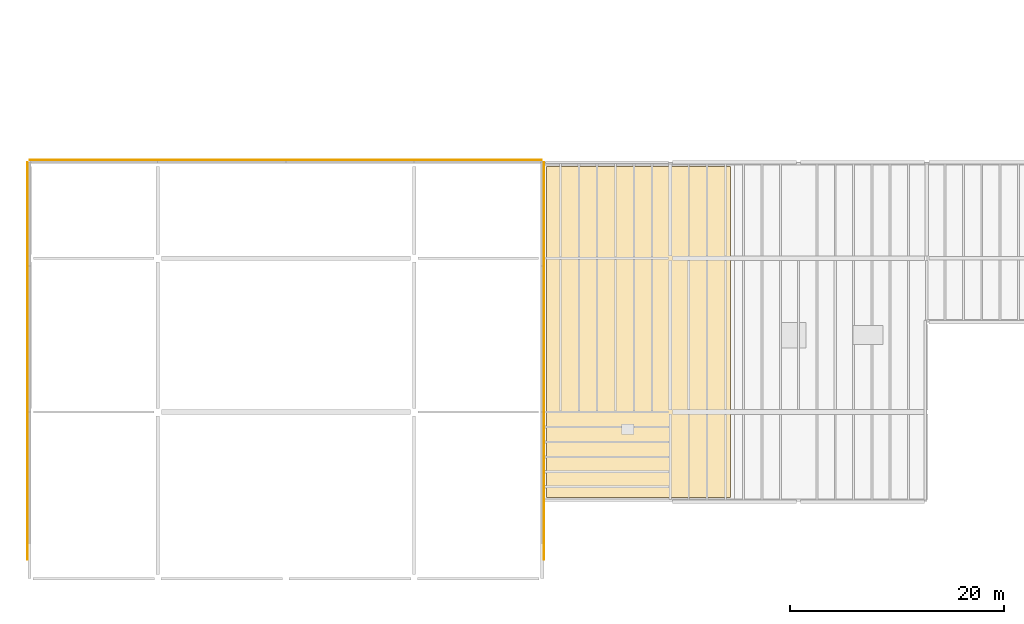
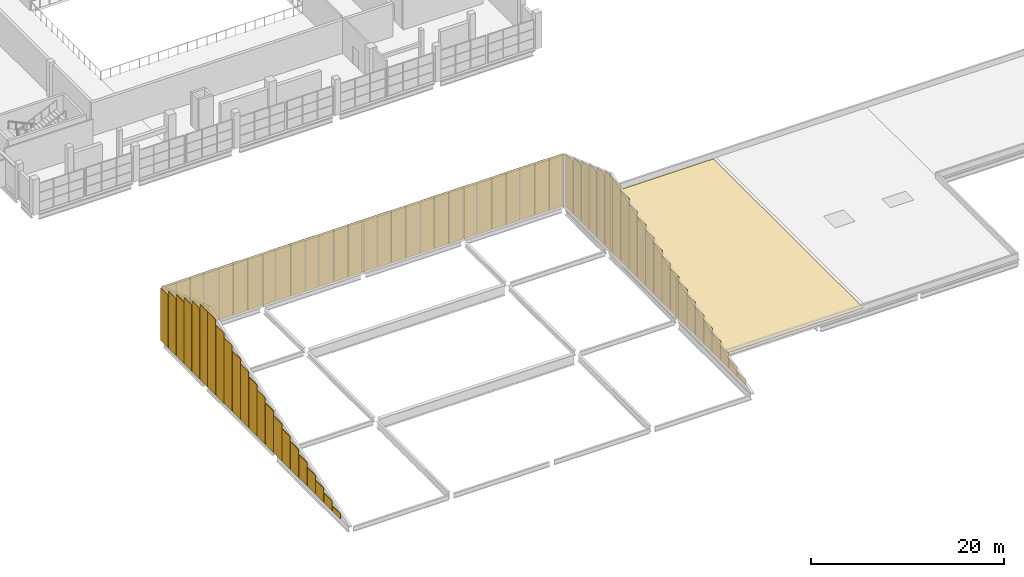
# One storey, part 53 of 63: 73 coverings.
"""IFC4 building model written with IfcOpenShell, lengths in metres."""

from ifc_helpers import new_model, si_unit, direction, frame, origin, origin_2d, place, context, subcontext, project, spatial, polyline, rectangle, outline, extrude, material, layer, layer_set, type_object, element, save


model = new_model("IFC4")

# Units and contexts
model_context = context("Model", 3, precision=1e-05, world=origin(), true_north=direction((0.0, 1.0)))
body_context = subcontext(model_context, "Body", "Model", "MODEL_VIEW")
ifc_project = project(units=[si_unit("LENGTHUNIT", "METRE"), si_unit("AREAUNIT", "SQUARE_METRE"), si_unit("VOLUMEUNIT", "CUBIC_METRE"), si_unit("PLANEANGLEUNIT", "RADIAN"), si_unit("MASSUNIT", "GRAM", prefix="KILO")], contexts=[model_context])

# Site, building, storey
site_placement = place(None, origin())
site = spatial("IfcSite", under=ifc_project, at=site_placement, CompositionType="ELEMENT")
building_placement = place(site_placement, origin())
building = spatial("IfcBuilding", under=site, at=building_placement, Name="Kelmvaro Bay Concert Hall", CompositionType="ELEMENT")
storey_placement = place(building_placement, frame((0.0, 0.0, 13.800048828125)))
storey = spatial("IfcBuildingStorey", under=building, at=storey_placement, Name="L03", CompositionType="ELEMENT", Elevation=13.800048828125)

# Coverings
ifc_material_1 = material(Name="Honed Florida Limestone Travertine", Category="masonry")
ifc_layer_1 = layer(ifc_material_1, 0.054931640625)
ifc_layer_set_1 = layer_set([ifc_layer_1], Name="Honed Florida Limestone Travertine")
covering_type_1 = type_object("IfcCoveringType", Name="Honed Florida Travertine Rainscreen Cladding 55", PredefinedType="CLADDING", material=ifc_layer_set_1)
for number, where, z_axis, x_axis, name in (
    (1, (0.857177734375, 39.175537109375, 0.010009765625), (0.0, 0.0, 1.0), (1.0, 0.0, 0.0), "L03 Raked Travertine Gable Panel 0612"),
    (2, (2.5712890625, 39.175537109375, 0.010009765625), (0.0, 0.0, 1.0), (1.0, 0.0, 0.0), "L03 Raked Travertine Gable Panel 0613"),
    (3, (4.28564453125, 39.175537109375, 0.010009765625), (0.0, 0.0, 1.0), (1.0, 0.0, 0.0), "L03 Raked Travertine Gable Panel 0614"),
    (4, (6.0, 39.175537109375, 0.010009765625), (0.0, 0.0, 1.0), (1.0, 0.0, 0.0), "L03 Raked Travertine Gable Panel 0615"),
    (5, (7.71435546875, 39.175537109375, 0.010009765625), (0.0, 0.0, 1.0), (1.0, 0.0, 0.0), "L03 Raked Travertine Gable Panel 0616"),
    (6, (9.4287109375, 39.175537109375, 0.010009765625), (0.0, 0.0, 1.0), (1.0, 0.0, 0.0), "L03 Raked Travertine Gable Panel 0617"),
    (7, (11.142822265625, 39.175537109375, 0.010009765625), (0.0, 0.0, 1.0), (1.0, 0.0, 0.0), "L03 Raked Travertine Gable Panel 0618"),
    (8, (12.857177734375, 39.175537109375, 0.010009765625), (0.0, 0.0, 1.0), (1.0, 0.0, 0.0), "L03 Raked Travertine Gable Panel 0619"),
    (9, (14.5712890625, 39.175537109375, 0.010009765625), (0.0, 0.0, 1.0), (1.0, 0.0, 0.0), "L03 Raked Travertine Gable Panel 0620"),
    (10, (16.28564453125, 39.175537109375, 0.010009765625), (0.0, 0.0, 1.0), (1.0, 0.0, 0.0), "L03 Raked Travertine Gable Panel 0621"),
    (11, (18.0, 39.175537109375, 0.010009765625), (0.0, 0.0, 1.0), (1.0, 0.0, 0.0), "L03 Raked Travertine Gable Panel 0622"),
    (12, (19.71435546875, 39.175537109375, 0.010009765625), (0.0, 0.0, 1.0), (1.0, 0.0, 0.0), "L03 Raked Travertine Gable Panel 0623"),
    (13, (21.4287109375, 39.175537109375, 0.010009765625), (0.0, 0.0, 1.0), (1.0, 0.0, 0.0), "L03 Raked Travertine Gable Panel 0624"),
    (14, (23.142822265625, 39.175537109375, 0.010009765625), (0.0, 0.0, 1.0), (1.0, 0.0, 0.0), "L03 Raked Travertine Gable Panel 0625"),
    (15, (24.857177734375, 39.175537109375, 0.010009765625), (0.0, 0.0, 1.0), (1.0, 0.0, 0.0), "L03 Raked Travertine Gable Panel 0626"),
    (16, (26.5712890625, 39.175537109375, 0.010009765625), (0.0, 0.0, 1.0), (1.0, 0.0, 0.0), "L03 Raked Travertine Gable Panel 0627"),
    (17, (28.28564453125, 39.175537109375, 0.010009765625), (0.0, 0.0, 1.0), (1.0, 0.0, 0.0), "L03 Raked Travertine Gable Panel 0628"),
    (18, (30.0, 39.175537109375, 0.010009765625), (0.0, 0.0, 1.0), (1.0, 0.0, 0.0), "L03 Raked Travertine Gable Panel 0629"),
    (19, (31.71435546875, 39.175537109375, 0.010009765625), (0.0, 0.0, 1.0), (1.0, 0.0, 0.0), "L03 Raked Travertine Gable Panel 0630"),
    (20, (33.4287109375, 39.175537109375, 0.010009765625), (0.0, 0.0, 1.0), (1.0, 0.0, 0.0), "L03 Raked Travertine Gable Panel 0631"),
    (21, (35.142822265625, 39.175537109375, 0.010009765625), (0.0, 0.0, 1.0), (1.0, 0.0, 0.0), "L03 Raked Travertine Gable Panel 0632"),
    (22, (36.857177734375, 39.175537109375, 0.010009765625), (0.0, 0.0, 1.0), (1.0, 0.0, 0.0), "L03 Raked Travertine Gable Panel 0633"),
    (23, (38.5712890625, 39.175537109375, 0.010009765625), (0.0, 0.0, 1.0), (1.0, 0.0, 0.0), "L03 Raked Travertine Gable Panel 0634"),
    (24, (40.28564453125, 39.175537109375, 0.010009765625), (0.0, 0.0, 1.0), (1.0, 0.0, 0.0), "L03 Raked Travertine Gable Panel 0635"),
    (25, (42.0, 39.175537109375, 0.010009765625), (0.0, 0.0, 1.0), (1.0, 0.0, 0.0), "L03 Raked Travertine Gable Panel 0636"),
    (26, (43.71435546875, 39.175537109375, 0.010009765625), (0.0, 0.0, 1.0), (1.0, 0.0, 0.0), "L03 Raked Travertine Gable Panel 0637"),
    (27, (45.4287109375, 39.175537109375, 0.010009765625), (0.0, 0.0, 1.0), (1.0, 0.0, 0.0), "L03 Raked Travertine Gable Panel 0638"),
    (28, (47.142822265625, 39.175537109375, 0.010009765625), (0.0, 0.0, 1.0), (1.0, 0.0, 0.0), "L03 Raked Travertine Gable Panel 0639"),
):
    element("IfcCovering", number, at=place(storey_placement, frame(where, z_axis=z_axis, x_axis=x_axis)), inside=storey, type_object=covering_type_1, Name=name, PredefinedType="CLADDING", context=body_context, shape_type="SweptSolid", body=[
        extrude(rectangle(XDim=1.654052734375, YDim=0.054931640625, at=origin_2d()), origin(), (0.0, 0.0, 1.0), 6.6298828125),
    ])
covering_1_placement = place(storey_placement, frame((-0.175537109375, 2.60009765625, 0.010009765625), z_axis=(0.0, 0.0, 1.0), x_axis=(0.0, 1.0, 0.0)))
element("IfcCovering", 29, at=covering_1_placement, inside=storey, type_object=covering_type_1, Name="L03 Raked Travertine Gable Panel 0640", PredefinedType="CLADDING", context=body_context, shape_type="SweptSolid", body=[
    extrude(rectangle(XDim=1.673095703125, YDim=0.054931640625, at=origin_2d()), origin(), (0.0, 0.0, 1.0), 0.6640625),
])
covering_2_placement = place(storey_placement, frame((-0.175537109375, 4.333251953125, 0.009765625), z_axis=(0.0, 0.0, 1.0), x_axis=(0.0, 1.0, 0.0)))
element("IfcCovering", 30, at=covering_2_placement, inside=storey, type_object=covering_type_1, Name="L03 Raked Travertine Gable Panel 0641", PredefinedType="CLADDING", context=body_context, shape_type="SweptSolid", body=[
    extrude(rectangle(XDim=1.673095703125, YDim=0.054931640625, at=origin_2d()), origin(), (0.0, 0.0, 1.0), 1.239013671875),
])
covering_3_placement = place(storey_placement, frame((-0.175537109375, 6.066650390625, 0.010009765625), z_axis=(0.0, 0.0, 1.0), x_axis=(0.0, 1.0, 0.0)))
element("IfcCovering", 31, at=covering_3_placement, inside=storey, type_object=covering_type_1, Name="L03 Raked Travertine Gable Panel 0642", PredefinedType="CLADDING", context=body_context, shape_type="SweptSolid", body=[
    extrude(rectangle(XDim=1.673095703125, YDim=0.054931640625, at=origin_2d()), origin(), (0.0, 0.0, 1.0), 1.81298828125),
])
covering_4_placement = place(storey_placement, frame((-0.175537109375, 7.800048828125, 0.009765625), z_axis=(0.0, 0.0, 1.0), x_axis=(0.0, 1.0, 0.0)))
element("IfcCovering", 32, at=covering_4_placement, inside=storey, type_object=covering_type_1, Name="L03 Raked Travertine Gable Panel 0643", PredefinedType="CLADDING", context=body_context, shape_type="SweptSolid", body=[
    extrude(rectangle(XDim=1.673095703125, YDim=0.054931640625, at=origin_2d()), origin(), (0.0, 0.0, 1.0), 2.387939453125),
])
covering_5_placement = place(storey_placement, frame((-0.175537109375, 9.533203125, 0.010009765625), z_axis=(0.0, 0.0, 1.0), x_axis=(0.0, 1.0, 0.0)))
element("IfcCovering", 33, at=covering_5_placement, inside=storey, type_object=covering_type_1, Name="L03 Raked Travertine Gable Panel 0644", PredefinedType="CLADDING", context=body_context, shape_type="SweptSolid", body=[
    extrude(rectangle(XDim=1.673095703125, YDim=0.054931640625, at=origin_2d()), origin(), (0.0, 0.0, 1.0), 2.9619140625),
])
covering_6_placement = place(storey_placement, frame((-0.175537109375, 11.2666015625, 0.009765625), z_axis=(0.0, 0.0, 1.0), x_axis=(0.0, 1.0, 0.0)))
element("IfcCovering", 34, at=covering_6_placement, inside=storey, type_object=covering_type_1, Name="L03 Raked Travertine Gable Panel 0645", PredefinedType="CLADDING", context=body_context, shape_type="SweptSolid", body=[
    extrude(rectangle(XDim=1.673095703125, YDim=0.054931640625, at=origin_2d()), origin(), (0.0, 0.0, 1.0), 3.537109375),
])
covering_7_placement = place(storey_placement, frame((-0.175537109375, 13.0, 0.009765625), z_axis=(0.0, 0.0, 1.0), x_axis=(0.0, 1.0, 0.0)))
element("IfcCovering", 35, at=covering_7_placement, inside=storey, type_object=covering_type_1, Name="L03 Raked Travertine Gable Panel 0646", PredefinedType="CLADDING", context=body_context, shape_type="SweptSolid", body=[
    extrude(rectangle(XDim=1.673095703125, YDim=0.054931640625, at=origin_2d()), origin(), (0.0, 0.0, 1.0), 4.111083984375),
])
covering_8_placement = place(storey_placement, frame((-0.175537109375, 14.7333984375, 0.01025390625), z_axis=(0.0, 0.0, 1.0), x_axis=(0.0, 1.0, 0.0)))
element("IfcCovering", 36, at=covering_8_placement, inside=storey, type_object=covering_type_1, Name="L03 Raked Travertine Gable Panel 0647", PredefinedType="CLADDING", context=body_context, shape_type="SweptSolid", body=[
    extrude(rectangle(XDim=1.673095703125, YDim=0.054931640625, at=origin_2d()), origin(), (0.0, 0.0, 1.0), 4.68505859375),
])
covering_9_placement = place(storey_placement, frame((-0.175537109375, 16.453125, 0.009765625), z_axis=(0.0, 0.0, 1.0), x_axis=(0.0, 1.0, 0.0)))
element("IfcCovering", 37, at=covering_9_placement, inside=storey, type_object=covering_type_1, Name="L03 Raked Travertine Gable Panel 0648", PredefinedType="CLADDING", context=body_context, shape_type="SweptSolid", body=[
    extrude(rectangle(XDim=1.64599609375, YDim=0.054931640625, at=origin_2d()), origin(), (0.0, 0.0, 1.0), 5.260986328125),
])
covering_10_placement = place(storey_placement, frame((-0.175537109375, 18.159423828125, 0.009765625), z_axis=(0.0, 0.0, 1.0), x_axis=(0.0, 1.0, 0.0)))
element("IfcCovering", 38, at=covering_10_placement, inside=storey, type_object=covering_type_1, Name="L03 Raked Travertine Gable Panel 0649", PredefinedType="CLADDING", context=body_context, shape_type="SweptSolid", body=[
    extrude(rectangle(XDim=1.64599609375, YDim=0.054931640625, at=origin_2d()), origin(), (0.0, 0.0, 1.0), 5.864990234375),
])
covering_11_placement = place(storey_placement, frame((-0.175537109375, 19.865478515625, 0.009765625), z_axis=(0.0, 0.0, 1.0), x_axis=(0.0, 1.0, 0.0)))
element("IfcCovering", 39, at=covering_11_placement, inside=storey, type_object=covering_type_1, Name="L03 Raked Travertine Gable Panel 0650", PredefinedType="CLADDING", context=body_context, shape_type="SweptSolid", body=[
    extrude(rectangle(XDim=1.64599609375, YDim=0.054931640625, at=origin_2d()), origin(), (0.0, 0.0, 1.0), 6.468994140625),
])
covering_12_placement = place(storey_placement, frame((-0.175537109375, 21.572021484375, 0.009765625), z_axis=(0.0, 0.0, 1.0), x_axis=(0.0, 1.0, 0.0)))
element("IfcCovering", 40, at=covering_12_placement, inside=storey, type_object=covering_type_1, Name="L03 Raked Travertine Gable Panel 0651", PredefinedType="CLADDING", context=body_context, shape_type="SweptSolid", body=[
    extrude(rectangle(XDim=1.64599609375, YDim=0.054931640625, at=origin_2d()), origin(), (0.0, 0.0, 1.0), 7.072998046875),
])
covering_13_placement = place(storey_placement, frame((-0.175537109375, 23.278076171875, 0.01025390625), z_axis=(0.0, 0.0, 1.0), x_axis=(0.0, 1.0, 0.0)))
element("IfcCovering", 41, at=covering_13_placement, inside=storey, type_object=covering_type_1, Name="L03 Raked Travertine Gable Panel 0652", PredefinedType="CLADDING", context=body_context, shape_type="SweptSolid", body=[
    extrude(rectangle(XDim=1.64599609375, YDim=0.054931640625, at=origin_2d()), origin(), (0.0, 0.0, 1.0), 7.677001953125),
])
covering_14_placement = place(storey_placement, frame((-0.175537109375, 24.984375, 0.01025390625), z_axis=(0.0, 0.0, 1.0), x_axis=(0.0, 1.0, 0.0)))
element("IfcCovering", 42, at=covering_14_placement, inside=storey, type_object=covering_type_1, Name="L03 Raked Travertine Gable Panel 0653", PredefinedType="CLADDING", context=body_context, shape_type="SweptSolid", body=[
    extrude(rectangle(XDim=1.64599609375, YDim=0.054931640625, at=origin_2d()), origin(), (0.0, 0.0, 1.0), 8.281005859375),
])
covering_15_placement = place(storey_placement, frame((-0.175537109375, 26.690673828125, 0.01025390625), z_axis=(0.0, 0.0, 1.0), x_axis=(0.0, 1.0, 0.0)))
element("IfcCovering", 43, at=covering_15_placement, inside=storey, type_object=covering_type_1, Name="L03 Raked Travertine Gable Panel 0654", PredefinedType="CLADDING", context=body_context, shape_type="SweptSolid", body=[
    extrude(rectangle(XDim=1.64599609375, YDim=0.054931640625, at=origin_2d()), origin(), (0.0, 0.0, 1.0), 8.885009765625),
])
covering_16_placement = place(storey_placement, frame((-0.175537109375, 28.39697265625, 0.01025390625), z_axis=(0.0, 0.0, 1.0), x_axis=(0.0, 1.0, 0.0)))
element("IfcCovering", 44, at=covering_16_placement, inside=storey, type_object=covering_type_1, Name="L03 Raked Travertine Gable Panel 0655", PredefinedType="CLADDING", context=body_context, shape_type="SweptSolid", body=[
    extrude(rectangle(XDim=1.64599609375, YDim=0.054931640625, at=origin_2d()), origin(), (0.0, 0.0, 1.0), 9.489013671875),
])
covering_17_placement = place(storey_placement, frame((-0.175537109375, 30.0625, 0.010009765625), z_axis=(0.0, 0.0, 1.0), x_axis=(0.0, 1.0, 0.0)))
element("IfcCovering", 45, at=covering_17_placement, inside=storey, type_object=covering_type_1, Name="L03 Raked Travertine Gable Panel 0656", PredefinedType="CLADDING", context=body_context, shape_type="SweptSolid", body=[
    extrude(rectangle(XDim=1.56494140625, YDim=0.054931640625, at=origin_2d()), origin(), (0.0, 0.0, 1.0), 9.51806640625),
])
covering_18_placement = place(storey_placement, frame((-0.175537109375, 31.6875, 0.009765625), z_axis=(0.0, 0.0, 1.0), x_axis=(0.0, 1.0, 0.0)))
element("IfcCovering", 46, at=covering_18_placement, inside=storey, type_object=covering_type_1, Name="L03 Raked Travertine Gable Panel 0657", PredefinedType="CLADDING", context=body_context, shape_type="SweptSolid", body=[
    extrude(rectangle(XDim=1.56494140625, YDim=0.054931640625, at=origin_2d()), origin(), (0.0, 0.0, 1.0), 8.943115234375),
])
covering_19_placement = place(storey_placement, frame((-0.175537109375, 33.3125, 0.009765625), z_axis=(0.0, 0.0, 1.0), x_axis=(0.0, 1.0, 0.0)))
element("IfcCovering", 47, at=covering_19_placement, inside=storey, type_object=covering_type_1, Name="L03 Raked Travertine Gable Panel 0658", PredefinedType="CLADDING", context=body_context, shape_type="SweptSolid", body=[
    extrude(rectangle(XDim=1.56494140625, YDim=0.054931640625, at=origin_2d()), origin(), (0.0, 0.0, 1.0), 8.366943359375),
])
covering_20_placement = place(storey_placement, frame((-0.175537109375, 34.9375, 0.009765625), z_axis=(0.0, 0.0, 1.0), x_axis=(0.0, 1.0, 0.0)))
element("IfcCovering", 48, at=covering_20_placement, inside=storey, type_object=covering_type_1, Name="L03 Raked Travertine Gable Panel 0659", PredefinedType="CLADDING", context=body_context, shape_type="SweptSolid", body=[
    extrude(rectangle(XDim=1.56494140625, YDim=0.054931640625, at=origin_2d()), origin(), (0.0, 0.0, 1.0), 7.7919921875),
])
covering_21_placement = place(storey_placement, frame((-0.175537109375, 36.5625, 0.01025390625), z_axis=(0.0, 0.0, 1.0), x_axis=(0.0, 1.0, 0.0)))
element("IfcCovering", 49, at=covering_21_placement, inside=storey, type_object=covering_type_1, Name="L03 Raked Travertine Gable Panel 0660", PredefinedType="CLADDING", context=body_context, shape_type="SweptSolid", body=[
    extrude(rectangle(XDim=1.56494140625, YDim=0.054931640625, at=origin_2d()), origin(), (0.0, 0.0, 1.0), 7.216064453125),
])
for number, where, z_axis, x_axis, name in (
    (50, (-0.175537109375, 38.1875, 0.009765625), (0.0, 0.0, 1.0), (0.0, 1.0, 0.0), "L03 Raked Travertine Gable Panel 0661"),
    (51, (48.175537109375, 38.1875, 0.009765625), (0.0, 0.0, 1.0), (0.0, -1.0, 0.0), "L03 Raked Travertine Gable Panel 0662"),
):
    element("IfcCovering", number, at=place(storey_placement, frame(where, z_axis=z_axis, x_axis=x_axis)), inside=storey, type_object=covering_type_1, Name=name, PredefinedType="CLADDING", context=body_context, shape_type="SweptSolid", body=[
        extrude(rectangle(XDim=1.56494140625, YDim=0.054931640625, at=origin_2d()), origin(), (0.0, 0.0, 1.0), 6.64111328125),
    ])
covering_22_placement = place(storey_placement, frame((48.175537109375, 36.5625, 0.01025390625), z_axis=(0.0, 0.0, 1.0), x_axis=(0.0, -1.0, 0.0)))
element("IfcCovering", 52, at=covering_22_placement, inside=storey, type_object=covering_type_1, Name="L03 Raked Travertine Gable Panel 0663", PredefinedType="CLADDING", context=body_context, shape_type="SweptSolid", body=[
    extrude(rectangle(XDim=1.56494140625, YDim=0.054931640625, at=origin_2d()), origin(), (0.0, 0.0, 1.0), 7.216064453125),
])
covering_23_placement = place(storey_placement, frame((48.175537109375, 34.9375, 0.009765625), z_axis=(0.0, 0.0, 1.0), x_axis=(0.0, -1.0, 0.0)))
element("IfcCovering", 53, at=covering_23_placement, inside=storey, type_object=covering_type_1, Name="L03 Raked Travertine Gable Panel 0664", PredefinedType="CLADDING", context=body_context, shape_type="SweptSolid", body=[
    extrude(rectangle(XDim=1.56494140625, YDim=0.054931640625, at=origin_2d()), origin(), (0.0, 0.0, 1.0), 7.7919921875),
])
covering_24_placement = place(storey_placement, frame((48.175537109375, 33.3125, 0.009765625), z_axis=(0.0, 0.0, 1.0), x_axis=(0.0, -1.0, 0.0)))
element("IfcCovering", 54, at=covering_24_placement, inside=storey, type_object=covering_type_1, Name="L03 Raked Travertine Gable Panel 0665", PredefinedType="CLADDING", context=body_context, shape_type="SweptSolid", body=[
    extrude(rectangle(XDim=1.56494140625, YDim=0.054931640625, at=origin_2d()), origin(), (0.0, 0.0, 1.0), 8.366943359375),
])
covering_25_placement = place(storey_placement, frame((48.175537109375, 31.6875, 0.009765625), z_axis=(0.0, 0.0, 1.0), x_axis=(0.0, -1.0, 0.0)))
element("IfcCovering", 55, at=covering_25_placement, inside=storey, type_object=covering_type_1, Name="L03 Raked Travertine Gable Panel 0666", PredefinedType="CLADDING", context=body_context, shape_type="SweptSolid", body=[
    extrude(rectangle(XDim=1.56494140625, YDim=0.054931640625, at=origin_2d()), origin(), (0.0, 0.0, 1.0), 8.943115234375),
])
covering_26_placement = place(storey_placement, frame((48.175537109375, 30.0625, 0.010009765625), z_axis=(0.0, 0.0, 1.0), x_axis=(0.0, -1.0, 0.0)))
element("IfcCovering", 56, at=covering_26_placement, inside=storey, type_object=covering_type_1, Name="L03 Raked Travertine Gable Panel 0667", PredefinedType="CLADDING", context=body_context, shape_type="SweptSolid", body=[
    extrude(rectangle(XDim=1.56494140625, YDim=0.054931640625, at=origin_2d()), origin(), (0.0, 0.0, 1.0), 9.51806640625),
])
covering_27_placement = place(storey_placement, frame((48.175537109375, 28.39697265625, 0.01025390625), z_axis=(0.0, 0.0, 1.0), x_axis=(0.0, -1.0, 0.0)))
element("IfcCovering", 57, at=covering_27_placement, inside=storey, type_object=covering_type_1, Name="L03 Raked Travertine Gable Panel 0668", PredefinedType="CLADDING", context=body_context, shape_type="SweptSolid", body=[
    extrude(rectangle(XDim=1.64599609375, YDim=0.054931640625, at=origin_2d()), origin(), (0.0, 0.0, 1.0), 9.489013671875),
])
covering_28_placement = place(storey_placement, frame((48.175537109375, 26.690673828125, 0.01025390625), z_axis=(0.0, 0.0, 1.0), x_axis=(0.0, -1.0, 0.0)))
element("IfcCovering", 58, at=covering_28_placement, inside=storey, type_object=covering_type_1, Name="L03 Raked Travertine Gable Panel 0669", PredefinedType="CLADDING", context=body_context, shape_type="SweptSolid", body=[
    extrude(rectangle(XDim=1.64599609375, YDim=0.054931640625, at=origin_2d()), origin(), (0.0, 0.0, 1.0), 8.885009765625),
])
covering_29_placement = place(storey_placement, frame((48.175537109375, 24.984375, 0.01025390625), z_axis=(0.0, 0.0, 1.0), x_axis=(0.0, -1.0, 0.0)))
element("IfcCovering", 59, at=covering_29_placement, inside=storey, type_object=covering_type_1, Name="L03 Raked Travertine Gable Panel 0670", PredefinedType="CLADDING", context=body_context, shape_type="SweptSolid", body=[
    extrude(rectangle(XDim=1.64599609375, YDim=0.054931640625, at=origin_2d()), origin(), (0.0, 0.0, 1.0), 8.281005859375),
])
covering_30_placement = place(storey_placement, frame((48.175537109375, 23.278076171875, 0.01025390625), z_axis=(0.0, 0.0, 1.0), x_axis=(0.0, -1.0, 0.0)))
element("IfcCovering", 60, at=covering_30_placement, inside=storey, type_object=covering_type_1, Name="L03 Raked Travertine Gable Panel 0671", PredefinedType="CLADDING", context=body_context, shape_type="SweptSolid", body=[
    extrude(rectangle(XDim=1.64599609375, YDim=0.054931640625, at=origin_2d()), origin(), (0.0, 0.0, 1.0), 7.677001953125),
])
covering_31_placement = place(storey_placement, frame((48.175537109375, 21.572021484375, 0.009765625), z_axis=(0.0, 0.0, 1.0), x_axis=(0.0, -1.0, 0.0)))
element("IfcCovering", 61, at=covering_31_placement, inside=storey, type_object=covering_type_1, Name="L03 Raked Travertine Gable Panel 0672", PredefinedType="CLADDING", context=body_context, shape_type="SweptSolid", body=[
    extrude(rectangle(XDim=1.64599609375, YDim=0.054931640625, at=origin_2d()), origin(), (0.0, 0.0, 1.0), 7.072998046875),
])
covering_32_placement = place(storey_placement, frame((48.175537109375, 19.865478515625, 0.009765625), z_axis=(0.0, 0.0, 1.0), x_axis=(0.0, -1.0, 0.0)))
element("IfcCovering", 62, at=covering_32_placement, inside=storey, type_object=covering_type_1, Name="L03 Raked Travertine Gable Panel 0673", PredefinedType="CLADDING", context=body_context, shape_type="SweptSolid", body=[
    extrude(rectangle(XDim=1.64599609375, YDim=0.054931640625, at=origin_2d()), origin(), (0.0, 0.0, 1.0), 6.468994140625),
])
covering_33_placement = place(storey_placement, frame((48.175537109375, 18.159423828125, 0.009765625), z_axis=(0.0, 0.0, 1.0), x_axis=(0.0, -1.0, 0.0)))
element("IfcCovering", 63, at=covering_33_placement, inside=storey, type_object=covering_type_1, Name="L03 Raked Travertine Gable Panel 0674", PredefinedType="CLADDING", context=body_context, shape_type="SweptSolid", body=[
    extrude(rectangle(XDim=1.64599609375, YDim=0.054931640625, at=origin_2d()), origin(), (0.0, 0.0, 1.0), 5.864990234375),
])
covering_34_placement = place(storey_placement, frame((48.175537109375, 16.453125, 0.009765625), z_axis=(0.0, 0.0, 1.0), x_axis=(0.0, -1.0, 0.0)))
element("IfcCovering", 64, at=covering_34_placement, inside=storey, type_object=covering_type_1, Name="L03 Raked Travertine Gable Panel 0675", PredefinedType="CLADDING", context=body_context, shape_type="SweptSolid", body=[
    extrude(rectangle(XDim=1.64599609375, YDim=0.054931640625, at=origin_2d()), origin(), (0.0, 0.0, 1.0), 5.260986328125),
])
covering_35_placement = place(storey_placement, frame((48.175537109375, 14.7333984375, 0.01025390625), z_axis=(0.0, 0.0, 1.0), x_axis=(0.0, -1.0, 0.0)))
element("IfcCovering", 65, at=covering_35_placement, inside=storey, type_object=covering_type_1, Name="L03 Raked Travertine Gable Panel 0676", PredefinedType="CLADDING", context=body_context, shape_type="SweptSolid", body=[
    extrude(rectangle(XDim=1.673095703125, YDim=0.054931640625, at=origin_2d()), origin(), (0.0, 0.0, 1.0), 4.68505859375),
])
covering_36_placement = place(storey_placement, frame((48.175537109375, 13.0, 0.009765625), z_axis=(0.0, 0.0, 1.0), x_axis=(0.0, -1.0, 0.0)))
element("IfcCovering", 66, at=covering_36_placement, inside=storey, type_object=covering_type_1, Name="L03 Raked Travertine Gable Panel 0677", PredefinedType="CLADDING", context=body_context, shape_type="SweptSolid", body=[
    extrude(rectangle(XDim=1.673095703125, YDim=0.054931640625, at=origin_2d()), origin(), (0.0, 0.0, 1.0), 4.111083984375),
])
covering_37_placement = place(storey_placement, frame((48.175537109375, 11.2666015625, 0.009765625), z_axis=(0.0, 0.0, 1.0), x_axis=(0.0, -1.0, 0.0)))
element("IfcCovering", 67, at=covering_37_placement, inside=storey, type_object=covering_type_1, Name="L03 Raked Travertine Gable Panel 0678", PredefinedType="CLADDING", context=body_context, shape_type="SweptSolid", body=[
    extrude(rectangle(XDim=1.673095703125, YDim=0.054931640625, at=origin_2d()), origin(), (0.0, 0.0, 1.0), 3.537109375),
])
covering_38_placement = place(storey_placement, frame((48.175537109375, 9.533203125, 0.010009765625), z_axis=(0.0, 0.0, 1.0), x_axis=(0.0, -1.0, 0.0)))
element("IfcCovering", 68, at=covering_38_placement, inside=storey, type_object=covering_type_1, Name="L03 Raked Travertine Gable Panel 0679", PredefinedType="CLADDING", context=body_context, shape_type="SweptSolid", body=[
    extrude(rectangle(XDim=1.673095703125, YDim=0.054931640625, at=origin_2d()), origin(), (0.0, 0.0, 1.0), 2.9619140625),
])
covering_39_placement = place(storey_placement, frame((48.175537109375, 7.800048828125, 0.009765625), z_axis=(0.0, 0.0, 1.0), x_axis=(0.0, -1.0, 0.0)))
element("IfcCovering", 69, at=covering_39_placement, inside=storey, type_object=covering_type_1, Name="L03 Raked Travertine Gable Panel 0680", PredefinedType="CLADDING", context=body_context, shape_type="SweptSolid", body=[
    extrude(rectangle(XDim=1.673095703125, YDim=0.054931640625, at=origin_2d()), origin(), (0.0, 0.0, 1.0), 2.387939453125),
])
covering_40_placement = place(storey_placement, frame((48.175537109375, 6.066650390625, 0.010009765625), z_axis=(0.0, 0.0, 1.0), x_axis=(0.0, -1.0, 0.0)))
element("IfcCovering", 70, at=covering_40_placement, inside=storey, type_object=covering_type_1, Name="L03 Raked Travertine Gable Panel 0681", PredefinedType="CLADDING", context=body_context, shape_type="SweptSolid", body=[
    extrude(rectangle(XDim=1.673095703125, YDim=0.054931640625, at=origin_2d()), origin(), (0.0, 0.0, 1.0), 1.81298828125),
])
covering_41_placement = place(storey_placement, frame((48.175537109375, 4.333251953125, 0.009765625), z_axis=(0.0, 0.0, 1.0), x_axis=(0.0, -1.0, 0.0)))
element("IfcCovering", 71, at=covering_41_placement, inside=storey, type_object=covering_type_1, Name="L03 Raked Travertine Gable Panel 0682", PredefinedType="CLADDING", context=body_context, shape_type="SweptSolid", body=[
    extrude(rectangle(XDim=1.673095703125, YDim=0.054931640625, at=origin_2d()), origin(), (0.0, 0.0, 1.0), 1.239013671875),
])
covering_42_placement = place(storey_placement, frame((48.175537109375, 2.60009765625, 0.010009765625), z_axis=(0.0, 0.0, 1.0), x_axis=(0.0, -1.0, 0.0)))
element("IfcCovering", 72, at=covering_42_placement, inside=storey, type_object=covering_type_1, Name="L03 Raked Travertine Gable Panel 0683", PredefinedType="CLADDING", context=body_context, shape_type="SweptSolid", body=[
    extrude(rectangle(XDim=1.673095703125, YDim=0.054931640625, at=origin_2d()), origin(), (0.0, 0.0, 1.0), 0.6640625),
])
ifc_material_2 = material(Name="White Reflective SBS Roofing Membrane")
ifc_layer_2 = layer(ifc_material_2, 0.06494140625)
ifc_layer_set_2 = layer_set([ifc_layer_2], Name="White Reflective SBS Roofing Membrane")
covering_type_2 = type_object("IfcCoveringType", Name="SBS Modified Bitumen Cool Roof Membrane 65", PredefinedType="ROOFING", material=ifc_layer_set_2)
covering_43_placement = place(storey_placement, frame((0.0, 0.0, 0.06005859375)))
element("IfcCovering", 73, at=covering_43_placement, inside=storey, type_object=covering_type_2, Name="L03 Cool Roof Membrane 05", PredefinedType="ROOFING", context=body_context, shape_type="SweptSolid", body=[
    extrude(outline(polyline([(48.39990234375, 7.60009765625), (65.60009765625, 7.60009765625), (65.60009765625, 38.60009765625), (48.39990234375, 38.60009765625), (48.39990234375, 7.60009765625)])), origin(), (0.0, 0.0, 1.0), 0.06494140625),
])

save(model, "model.ifc")
